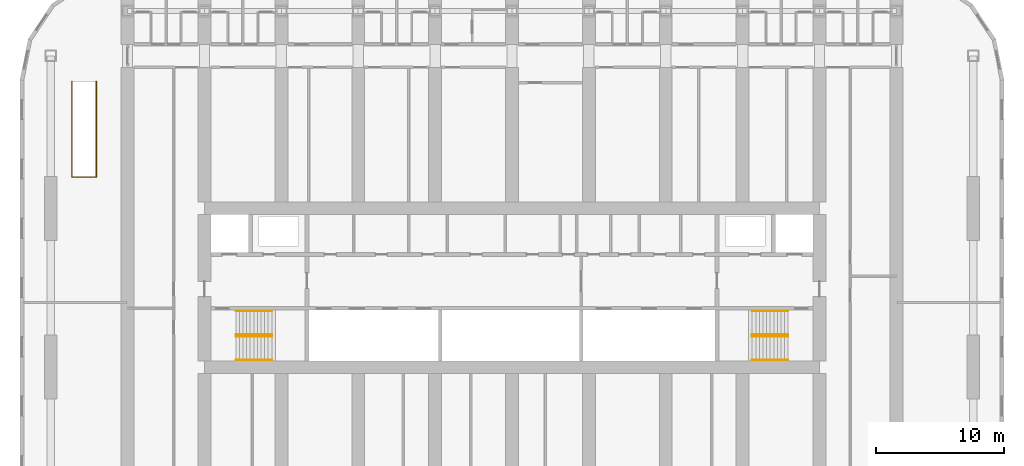
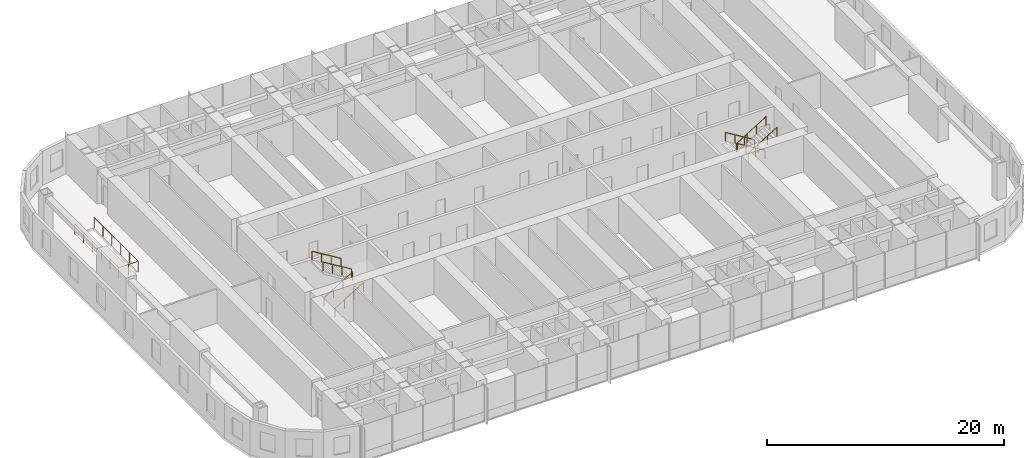
# One storey, part 24 of 24: 9 railings.
"""IFC4 building model written with IfcOpenShell, lengths in metres."""

from ifc_helpers import new_model, si_unit, direction, frame, origin, origin_2d, place, context, subcontext, project, spatial, circle, extrude, material, type_object, element, save


model = new_model("IFC4")

# Units and contexts
model_context = context("Model", 3, precision=1e-05, world=origin(), true_north=direction((0.0, 1.0)))
body_context = subcontext(model_context, "Body", "Model", "MODEL_VIEW")
ifc_project = project(units=[si_unit("LENGTHUNIT", "METRE"), si_unit("AREAUNIT", "SQUARE_METRE"), si_unit("VOLUMEUNIT", "CUBIC_METRE"), si_unit("PLANEANGLEUNIT", "RADIAN"), si_unit("MASSUNIT", "GRAM", prefix="KILO")], contexts=[model_context])

# Site, building, storey
site_placement = place(None, origin())
site = spatial("IfcSite", under=ifc_project, at=site_placement, CompositionType="ELEMENT")
building_placement = place(site_placement, origin())
building = spatial("IfcBuilding", under=site, at=building_placement, Name="Orbita Commons", CompositionType="ELEMENT")
storey_placement = place(building_placement, frame((0.0, 0.0, 27.699951171875)))
storey = spatial("IfcBuildingStorey", under=building, at=storey_placement, Name="L06", CompositionType="ELEMENT", Elevation=27.699951171875)

# Railings
ifc_material_1 = material(Name="Steel tube, painted", Category="steel")
railing_type_1 = type_object("IfcRailingType", Name="Stair handrail steel tube 900", PredefinedType="HANDRAIL", material=ifc_material_1)
for number, where, name in (
    (1, (20.449951171875, 28.18994140625, 0.17041015625), "Stair S1 handrail L06 flight 1"),
    (2, (20.449951171875, 26.360107421875, 0.17041015625), "Stair S1 handrail L06 flight 1"),
):
    element("IfcRailing", number, at=place(storey_placement, frame(where)), inside=storey, type_object=railing_type_1, Name=name, PredefinedType="HANDRAIL", context=body_context, shape_type="SweptSolid", body=[
        extrude(circle(Radius=0.02099609375, at=origin_2d()), frame((0.0, 0.0, 0.87890625), z_axis=(0.854169791009, 0.0, 0.51999420009), x_axis=(0.0, 1.0, 0.0)), (0.0, 0.0, 1.0), 3.278076171875),
        extrude(circle(Radius=0.02001953125, at=origin_2d()), origin(), (0.0, 0.0, 1.0), 0.85791015625),
        extrude(circle(Radius=0.02001953125, at=origin_2d()), frame((0.933349609375, 0.0, 0.568115234375)), (0.0, 0.0, 1.0), 0.85791015625),
        extrude(circle(Radius=0.02001953125, at=origin_2d()), frame((1.86669921875, 0.0, 1.136474609375)), (0.0, 0.0, 1.0), 0.85791015625),
        extrude(circle(Radius=0.02001953125, at=origin_2d()), frame((2.800048828125, 0.0, 1.70458984375)), (0.0, 0.0, 1.0), 0.85791015625),
    ])
for number, where, name in (
    (3, (23.25, 28.360107421875, 2.04541015625), "Stair S1 handrail L06 flight 2"),
    (4, (23.25, 30.18994140625, 2.04541015625), "Stair S1 handrail L06 flight 2"),
    (5, (63.550048828125, 28.360107421875, 0.17041015625), "Stair S2 handrail L06 flight 1"),
    (6, (63.550048828125, 30.18994140625, 0.17041015625), "Stair S2 handrail L06 flight 1"),
):
    element("IfcRailing", number, at=place(storey_placement, frame(where)), inside=storey, type_object=railing_type_1, Name=name, PredefinedType="HANDRAIL", context=body_context, shape_type="SweptSolid", body=[
        extrude(circle(Radius=0.02099609375, at=origin_2d()), frame((0.0, 0.0, 0.87890625), z_axis=(-0.854169791009, 0.0, 0.51999420009), x_axis=(0.0, -1.0, 0.0)), (0.0, 0.0, 1.0), 3.278076171875),
        extrude(circle(Radius=0.02001953125, at=origin_2d()), origin(), (0.0, 0.0, 1.0), 0.85791015625),
        extrude(circle(Radius=0.02001953125, at=origin_2d()), frame((-0.933349609375, 0.0, 0.568115234375)), (0.0, 0.0, 1.0), 0.85791015625),
        extrude(circle(Radius=0.02001953125, at=origin_2d()), frame((-1.86669921875, 0.0, 1.136474609375)), (0.0, 0.0, 1.0), 0.85791015625),
        extrude(circle(Radius=0.02001953125, at=origin_2d()), frame((-2.800048828125, 0.0, 1.70458984375)), (0.0, 0.0, 1.0), 0.85791015625),
    ])
for number, where, name in (
    (7, (60.75, 28.18994140625, 2.04541015625), "Stair S2 handrail L06 flight 2"),
    (8, (60.75, 26.360107421875, 2.04541015625), "Stair S2 handrail L06 flight 2"),
):
    element("IfcRailing", number, at=place(storey_placement, frame(where)), inside=storey, type_object=railing_type_1, Name=name, PredefinedType="HANDRAIL", context=body_context, shape_type="SweptSolid", body=[
        extrude(circle(Radius=0.02099609375, at=origin_2d()), frame((0.0, 0.0, 0.87890625), z_axis=(0.854169791009, 0.0, 0.51999420009), x_axis=(0.0, 1.0, 0.0)), (0.0, 0.0, 1.0), 3.278076171875),
        extrude(circle(Radius=0.02001953125, at=origin_2d()), origin(), (0.0, 0.0, 1.0), 0.85791015625),
        extrude(circle(Radius=0.02001953125, at=origin_2d()), frame((0.933349609375, 0.0, 0.568115234375)), (0.0, 0.0, 1.0), 0.85791015625),
        extrude(circle(Radius=0.02001953125, at=origin_2d()), frame((1.86669921875, 0.0, 1.136474609375)), (0.0, 0.0, 1.0), 0.85791015625),
        extrude(circle(Radius=0.02001953125, at=origin_2d()), frame((2.800048828125, 0.0, 1.70458984375)), (0.0, 0.0, 1.0), 0.85791015625),
    ])
ifc_material_2 = material(Name="Laminated glass on steel posts", Category="steel")
railing_type_2 = type_object("IfcRailingType", Name="Void guard, glass on steel posts 1100", PredefinedType="GUARDRAIL", material=ifc_material_2)
railing_placement = place(storey_placement, frame((7.64990234375, 48.10009765625, 0.0)))
element("IfcRailing", 9, at=railing_placement, inside=storey, type_object=railing_type_2, Name="Void guard L06", PredefinedType="GUARDRAIL", context=body_context, shape_type="SweptSolid", body=[
    extrude(circle(Radius=0.02490234375, at=origin_2d()), frame((0.0, 0.0, 1.0751953125), z_axis=(0.0, -1.0, 0.0), x_axis=(1.0, 0.0, 0.0)), (0.0, 0.0, 1.0), 7.4501953125),
    extrude(circle(Radius=0.02490234375, at=origin_2d()), frame((0.0, -7.4501953125, 1.0751953125), z_axis=(1.0, 0.0, 0.0), x_axis=(0.0, 1.0, 0.0)), (0.0, 0.0, 1.0), 1.900146484375),
    extrude(circle(Radius=0.02490234375, at=origin_2d()), frame((1.900146484375, -7.4501953125, 1.0751953125), z_axis=(0.0, 1.0, 0.0), x_axis=(-1.0, 0.0, 0.0)), (0.0, 0.0, 1.0), 7.4501953125),
    extrude(circle(Radius=0.02490234375, at=origin_2d()), origin(), (0.0, 0.0, 1.0), 1.050048828125),
    extrude(circle(Radius=0.02490234375, at=origin_2d()), frame((0.0, -1.489990234375, 0.0)), (0.0, 0.0, 1.0), 1.050048828125),
    extrude(circle(Radius=0.02490234375, at=origin_2d()), frame((0.0, -2.97998046875, 0.0)), (0.0, 0.0, 1.0), 1.050048828125),
    extrude(circle(Radius=0.02490234375, at=origin_2d()), frame((0.0, -4.47021484375, 0.0)), (0.0, 0.0, 1.0), 1.050048828125),
    extrude(circle(Radius=0.02490234375, at=origin_2d()), frame((0.0, -5.960205078125, 0.0)), (0.0, 0.0, 1.0), 1.050048828125),
    extrude(circle(Radius=0.02490234375, at=origin_2d()), frame((0.0, -7.4501953125, 0.0)), (0.0, 0.0, 1.0), 1.050048828125),
    extrude(circle(Radius=0.02490234375, at=origin_2d()), frame((0.9501953125, -7.4501953125, 0.0)), (0.0, 0.0, 1.0), 1.050048828125),
    extrude(circle(Radius=0.02490234375, at=origin_2d()), frame((1.900146484375, -7.4501953125, 0.0)), (0.0, 0.0, 1.0), 1.050048828125),
    extrude(circle(Radius=0.02490234375, at=origin_2d()), frame((1.900146484375, -5.960205078125, 0.0)), (0.0, 0.0, 1.0), 1.050048828125),
    extrude(circle(Radius=0.02490234375, at=origin_2d()), frame((1.900146484375, -4.47021484375, 0.0)), (0.0, 0.0, 1.0), 1.050048828125),
    extrude(circle(Radius=0.02490234375, at=origin_2d()), frame((1.900146484375, -2.97998046875, 0.0)), (0.0, 0.0, 1.0), 1.050048828125),
    extrude(circle(Radius=0.02490234375, at=origin_2d()), frame((1.900146484375, -1.489990234375, 0.0)), (0.0, 0.0, 1.0), 1.050048828125),
    extrude(circle(Radius=0.02490234375, at=origin_2d()), frame((1.900146484375, 0.0, 0.0)), (0.0, 0.0, 1.0), 1.050048828125),
])

save(model, "model.ifc")
